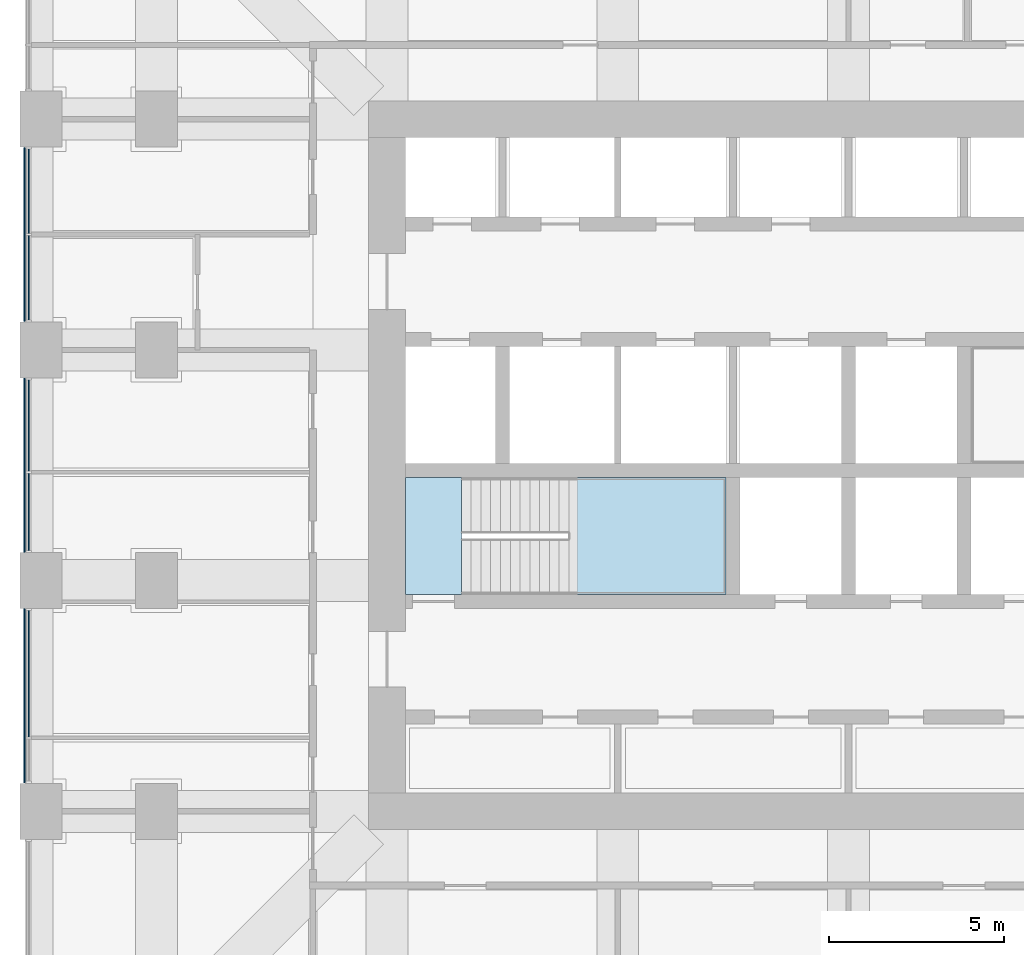
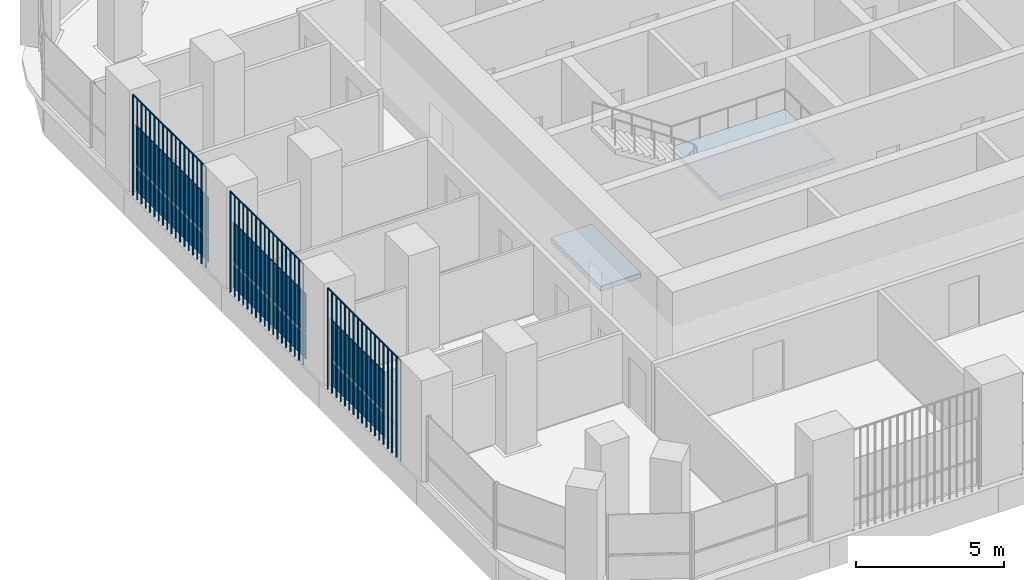
# One storey, part 9 of 20: 13 plates, 2 slabs, 4 elements without a shape of their own.
"""IFC4 building model written with IfcOpenShell, lengths in metres."""

from ifc_helpers import new_model, si_unit, direction, frame, origin, origin_2d, place, context, subcontext, project, spatial, polyline, rectangle, outline, extrude, material, layer, layer_set, type_object, element, aggregate, save


model = new_model("IFC4")

# Units and contexts
model_context = context("Model", 3, precision=1e-05, world=origin(), true_north=direction((0.0, 1.0)))
body_context = subcontext(model_context, "Body", "Model", "MODEL_VIEW")
ifc_project = project(units=[si_unit("LENGTHUNIT", "METRE"), si_unit("AREAUNIT", "SQUARE_METRE"), si_unit("VOLUMEUNIT", "CUBIC_METRE"), si_unit("PLANEANGLEUNIT", "RADIAN"), si_unit("MASSUNIT", "GRAM", prefix="KILO")], contexts=[model_context])

# Site, building, storey
site_placement = place(None, origin())
site = spatial("IfcSite", under=ifc_project, at=site_placement, CompositionType="ELEMENT")
building_placement = place(site_placement, origin())
building = spatial("IfcBuilding", under=site, at=building_placement, Name="Cobogo Forest Laboratory Tower", CompositionType="ELEMENT")
storey_placement = place(building_placement, frame((0.0, 0.0, 189.300048828125)))
storey = spatial("IfcBuildingStorey", under=building, at=storey_placement, Name="L43", CompositionType="ELEMENT", Elevation=189.300048828125)

# Curtain wall, plates
ifc_material_1 = material(Name="Aluminium curtain wall", Category="aluminium")
curtain_wall_type = type_object("IfcCurtainWallType", Name="CW-2 unitised curtain wall, solar control glazing, laboratory floors zones C and D", PredefinedType="USERDEFINED", material=ifc_material_1)
curtain_wall_1_placement = place(storey_placement, origin())
curtain_wall_1 = element("IfcCurtainWall", 1, at=curtain_wall_1_placement, inside=storey, type_object=curtain_wall_type, Name="Curtain wall 25 L43", ObjectType="UNITISED CURTAIN WALL", PredefinedType="USERDEFINED")
ifc_material_2 = material(Name="Solar control insulated glass", Category="glass")
ifc_layer_1 = layer(ifc_material_2, 0.031982421875)
ifc_layer_set_1 = layer_set([ifc_layer_1], Name="GP-2 solar control glass unit 32")
plate_type_1 = type_object("IfcPlateType", Name="GP-2 solar control glass unit 32", PredefinedType="CURTAIN_PANEL", material=ifc_layer_set_1)
plate_1_placement = place(storey_placement, frame((2.949951171875, 30.93505859375, 0.0), z_axis=(0.0, 0.0, 1.0), x_axis=(0.0, -1.0, 0.0)))
plate_1 = element("IfcPlate", 2, at=plate_1_placement, type_object=plate_type_1, Name="CW-2 panel 1.1", PredefinedType="CURTAIN_PANEL", context=body_context, shape_type="SweptSolid", body=[
    extrude(rectangle(XDim=2.409912109375, YDim=0.031982421875, at=origin_2d()), origin(), (0.0, 0.0, 1.0), 1.02001953125),
])
plate_2_placement = place(storey_placement, frame((2.949951171875, 30.93505859375, 1.079833984375), z_axis=(0.0, 0.0, 1.0), x_axis=(0.0, -1.0, 0.0)))
plate_2 = element("IfcPlate", 3, at=plate_2_placement, type_object=plate_type_1, Name="CW-2 panel 1.2", PredefinedType="CURTAIN_PANEL", context=body_context, shape_type="SweptSolid", body=[
    extrude(rectangle(XDim=2.409912109375, YDim=0.031982421875, at=origin_2d()), origin(), (0.0, 0.0, 1.0), 1.6201171875),
])
plate_3_placement = place(storey_placement, frame((2.949951171875, 28.465087890625, 0.0), z_axis=(0.0, 0.0, 1.0), x_axis=(0.0, -1.0, 0.0)))
plate_3 = element("IfcPlate", 4, at=plate_3_placement, type_object=plate_type_1, Name="CW-2 panel 2.1", PredefinedType="CURTAIN_PANEL", context=body_context, shape_type="SweptSolid", body=[
    extrude(rectangle(XDim=2.409912109375, YDim=0.031982421875, at=origin_2d()), origin(), (0.0, 0.0, 1.0), 1.02001953125),
])
plate_4_placement = place(storey_placement, frame((2.949951171875, 28.465087890625, 1.079833984375), z_axis=(0.0, 0.0, 1.0), x_axis=(0.0, -1.0, 0.0)))
plate_4 = element("IfcPlate", 5, at=plate_4_placement, type_object=plate_type_1, Name="CW-2 panel 2.2", PredefinedType="CURTAIN_PANEL", context=body_context, shape_type="SweptSolid", body=[
    extrude(rectangle(XDim=2.409912109375, YDim=0.031982421875, at=origin_2d()), origin(), (0.0, 0.0, 1.0), 1.6201171875),
])
aggregate(curtain_wall_1, [plate_1, plate_2, plate_3, plate_4])

curtain_wall_2_placement = place(storey_placement, origin())
curtain_wall_2 = element("IfcCurtainWall", 6, at=curtain_wall_2_placement, inside=storey, type_object=curtain_wall_type, Name="Curtain wall 26 L43", ObjectType="UNITISED CURTAIN WALL", PredefinedType="USERDEFINED")
plate_5_placement = place(storey_placement, frame((2.949951171875, 24.235107421875, 0.0), z_axis=(0.0, 0.0, 1.0), x_axis=(0.0, -1.0, 0.0)))
plate_5 = element("IfcPlate", 7, at=plate_5_placement, type_object=plate_type_1, Name="CW-2 panel 1.1", PredefinedType="CURTAIN_PANEL", context=body_context, shape_type="SweptSolid", body=[
    extrude(rectangle(XDim=2.610107421875, YDim=0.031982421875, at=origin_2d()), origin(), (0.0, 0.0, 1.0), 1.02001953125),
])
plate_6_placement = place(storey_placement, frame((2.949951171875, 24.235107421875, 1.079833984375), z_axis=(0.0, 0.0, 1.0), x_axis=(0.0, -1.0, 0.0)))
plate_6 = element("IfcPlate", 8, at=plate_6_placement, type_object=plate_type_1, Name="CW-2 panel 1.2", PredefinedType="CURTAIN_PANEL", context=body_context, shape_type="SweptSolid", body=[
    extrude(rectangle(XDim=2.610107421875, YDim=0.031982421875, at=origin_2d()), origin(), (0.0, 0.0, 1.0), 1.6201171875),
])
plate_7_placement = place(storey_placement, frame((2.949951171875, 21.764892578125, 0.0), z_axis=(0.0, 0.0, 1.0), x_axis=(0.0, -1.0, 0.0)))
plate_7 = element("IfcPlate", 9, at=plate_7_placement, type_object=plate_type_1, Name="CW-2 panel 2.1", PredefinedType="CURTAIN_PANEL", context=body_context, shape_type="SweptSolid", body=[
    extrude(rectangle(XDim=2.2099609375, YDim=0.031982421875, at=origin_2d()), origin(), (0.0, 0.0, 1.0), 1.02001953125),
])
plate_8_placement = place(storey_placement, frame((2.949951171875, 21.764892578125, 1.079833984375), z_axis=(0.0, 0.0, 1.0), x_axis=(0.0, -1.0, 0.0)))
plate_8 = element("IfcPlate", 10, at=plate_8_placement, type_object=plate_type_1, Name="CW-2 panel 2.2", PredefinedType="CURTAIN_PANEL", context=body_context, shape_type="SweptSolid", body=[
    extrude(rectangle(XDim=2.2099609375, YDim=0.031982421875, at=origin_2d()), origin(), (0.0, 0.0, 1.0), 1.6201171875),
])
aggregate(curtain_wall_2, [plate_5, plate_6, plate_7, plate_8])

curtain_wall_3_placement = place(storey_placement, origin())
curtain_wall_3 = element("IfcCurtainWall", 11, at=curtain_wall_3_placement, inside=storey, type_object=curtain_wall_type, Name="Curtain wall 27 L43", ObjectType="UNITISED CURTAIN WALL", PredefinedType="USERDEFINED")
plate_9_placement = place(storey_placement, frame((2.949951171875, 17.135009765625, 0.0), z_axis=(0.0, 0.0, 1.0), x_axis=(0.0, -1.0, 0.0)))
plate_9 = element("IfcPlate", 12, at=plate_9_placement, type_object=plate_type_1, Name="CW-2 panel 1.1", PredefinedType="CURTAIN_PANEL", context=body_context, shape_type="SweptSolid", body=[
    extrude(rectangle(XDim=3.610107421875, YDim=0.031982421875, at=origin_2d()), origin(), (0.0, 0.0, 1.0), 1.02001953125),
])
plate_10_placement = place(storey_placement, frame((2.949951171875, 17.135009765625, 1.079833984375), z_axis=(0.0, 0.0, 1.0), x_axis=(0.0, -1.0, 0.0)))
plate_10 = element("IfcPlate", 13, at=plate_10_placement, type_object=plate_type_1, Name="CW-2 panel 1.2", PredefinedType="CURTAIN_PANEL", context=body_context, shape_type="SweptSolid", body=[
    extrude(rectangle(XDim=3.610107421875, YDim=0.031982421875, at=origin_2d()), origin(), (0.0, 0.0, 1.0), 1.6201171875),
])
aggregate(curtain_wall_3, [plate_9, plate_10])

# Stair, slabs
ifc_material_3 = material(Name="Precast concrete HA-40 (C40/50)", Category="concrete")
stair_type = type_object("IfcStairType", Name="ST24 exit stair 24 risers", PredefinedType="HALF_TURN_STAIR", material=ifc_material_3)
stair_placement = place(storey_placement, origin())
stair = element("IfcStair", 14, at=stair_placement, inside=storey, type_object=stair_type, Name="Stair 1 L43 to L44", PredefinedType="HALF_TURN_STAIR")
ifc_material_4 = material(Name="Concrete HA-40 (C40/50)", Category="concrete")
ifc_layer_2 = layer(ifc_material_4, 0.199951171875)
ifc_layer_set_2 = layer_set([ifc_layer_2], Name="SL stair landing 200")
slab_type = type_object("IfcSlabType", Name="SL stair landing 200", PredefinedType="LANDING", material=ifc_layer_set_2)
slab_1_placement = place(storey_placement, frame((0.0, 0.0, -0.199951171875)))
slab_1 = element("IfcSlab", 15, at=slab_1_placement, type_object=slab_type, Name="ST1 landing 1", PredefinedType="LANDING", context=body_context, shape_type="SweptSolid", body=[
    extrude(outline(polyline([(13.72509765625, 19.39990234375), (15.326904296875, 19.39990234375), (15.326904296875, 22.75), (13.72509765625, 22.75), (13.72509765625, 19.39990234375)])), origin(), (0.0, 0.0, 1.0), 0.199951171875),
])
slab_2_placement = place(storey_placement, frame((0.0, 0.0, 1.89990234375)))
slab_2 = element("IfcSlab", 16, at=slab_2_placement, type_object=slab_type, Name="ST1 landing 2", PredefinedType="LANDING", context=body_context, shape_type="SweptSolid", body=[
    extrude(outline(polyline([(18.403076171875, 19.39990234375), (22.89990234375, 19.39990234375), (22.89990234375, 22.75), (18.403076171875, 22.75), (18.403076171875, 19.39990234375)])), origin(), (0.0, 0.0, 1.0), 0.199951171875),
])
aggregate(stair, [slab_1, slab_2])

# Plates
ifc_material_5 = material(Name="Terracotta", Category="masonry")
plate_type_2 = type_object("IfcPlateType", Name="TB1 terracotta baguette screen", PredefinedType="USERDEFINED", material=ifc_material_5)
plate_11_placement = place(storey_placement, frame((2.822021484375, 14.03125, -0.150146484375)))
element("IfcPlate", 17, at=plate_11_placement, inside=storey, type_object=plate_type_2, Name="Baguette screen W1 L43", ObjectType="BAGUETTE SCREEN", PredefinedType="USERDEFINED", context=body_context, shape_type="SweptSolid", body=[
    extrude(outline(polyline([(0.02880859375, 0.011962890625), (0.011962890625, 0.02880859375), (-0.011962890625, 0.02880859375), (-0.02880859375, 0.011962890625), (-0.02880859375, -0.011962890625), (-0.011962890625, -0.02880859375), (0.011962890625, -0.02880859375), (0.02880859375, -0.011962890625), (0.02880859375, 0.011962890625)])), frame((0.0, 0.0, 4.168701171875), z_axis=(0.0, 1.0, 0.0), x_axis=(-1.0, 0.0, 0.0)), (0.0, 0.0, 1.0), 4.9375),
    extrude(outline(polyline([(0.02880859375, 0.011962890625), (0.011962890625, 0.02880859375), (-0.011962890625, 0.02880859375), (-0.02880859375, 0.011962890625), (-0.02880859375, -0.011962890625), (-0.011962890625, -0.02880859375), (0.011962890625, -0.02880859375), (0.02880859375, -0.011962890625), (0.02880859375, 0.011962890625)])), origin(), (0.0, 0.0, 1.0), 4.137451171875),
    extrude(outline(polyline([(0.02880859375, 0.011962890625), (0.011962890625, 0.02880859375), (-0.011962890625, 0.02880859375), (-0.02880859375, 0.011962890625), (-0.02880859375, -0.011962890625), (-0.011962890625, -0.02880859375), (0.011962890625, -0.02880859375), (0.02880859375, -0.011962890625), (0.02880859375, 0.011962890625)])), frame((0.0, 0.29052734375, 0.0)), (0.0, 0.0, 1.0), 4.137451171875),
    extrude(outline(polyline([(0.02880859375, 0.011962890625), (0.011962890625, 0.02880859375), (-0.011962890625, 0.02880859375), (-0.02880859375, 0.011962890625), (-0.02880859375, -0.011962890625), (-0.011962890625, -0.02880859375), (0.011962890625, -0.02880859375), (0.02880859375, -0.011962890625), (0.02880859375, 0.011962890625)])), frame((0.0, 0.580810546875, 0.0)), (0.0, 0.0, 1.0), 4.137451171875),
    extrude(outline(polyline([(0.02880859375, 0.011962890625), (0.011962890625, 0.02880859375), (-0.011962890625, 0.02880859375), (-0.02880859375, 0.011962890625), (-0.02880859375, -0.011962890625), (-0.011962890625, -0.02880859375), (0.011962890625, -0.02880859375), (0.02880859375, -0.011962890625), (0.02880859375, 0.011962890625)])), frame((0.0, 0.871337890625, 0.0)), (0.0, 0.0, 1.0), 4.137451171875),
    extrude(outline(polyline([(0.02880859375, 0.011962890625), (0.011962890625, 0.02880859375), (-0.011962890625, 0.02880859375), (-0.02880859375, 0.011962890625), (-0.02880859375, -0.011962890625), (-0.011962890625, -0.02880859375), (0.011962890625, -0.02880859375), (0.02880859375, -0.011962890625), (0.02880859375, 0.011962890625)])), frame((0.0, 1.161865234375, 0.0)), (0.0, 0.0, 1.0), 4.137451171875),
    extrude(outline(polyline([(0.02880859375, 0.011962890625), (0.011962890625, 0.02880859375), (-0.011962890625, 0.02880859375), (-0.02880859375, 0.011962890625), (-0.02880859375, -0.011962890625), (-0.011962890625, -0.02880859375), (0.011962890625, -0.02880859375), (0.02880859375, -0.011962890625), (0.02880859375, 0.011962890625)])), frame((0.0, 1.4521484375, 0.0)), (0.0, 0.0, 1.0), 4.137451171875),
    extrude(outline(polyline([(0.02880859375, 0.011962890625), (0.011962890625, 0.02880859375), (-0.011962890625, 0.02880859375), (-0.02880859375, 0.011962890625), (-0.02880859375, -0.011962890625), (-0.011962890625, -0.02880859375), (0.011962890625, -0.02880859375), (0.02880859375, -0.011962890625), (0.02880859375, 0.011962890625)])), frame((0.0, 1.74267578125, 0.0)), (0.0, 0.0, 1.0), 4.137451171875),
    extrude(outline(polyline([(0.02880859375, 0.011962890625), (0.011962890625, 0.02880859375), (-0.011962890625, 0.02880859375), (-0.02880859375, 0.011962890625), (-0.02880859375, -0.011962890625), (-0.011962890625, -0.02880859375), (0.011962890625, -0.02880859375), (0.02880859375, -0.011962890625), (0.02880859375, 0.011962890625)])), frame((0.0, 2.033203125, 0.0)), (0.0, 0.0, 1.0), 4.137451171875),
    extrude(outline(polyline([(0.02880859375, 0.011962890625), (0.011962890625, 0.02880859375), (-0.011962890625, 0.02880859375), (-0.02880859375, 0.011962890625), (-0.02880859375, -0.011962890625), (-0.011962890625, -0.02880859375), (0.011962890625, -0.02880859375), (0.02880859375, -0.011962890625), (0.02880859375, 0.011962890625)])), frame((0.0, 2.323486328125, 0.0)), (0.0, 0.0, 1.0), 4.137451171875),
    extrude(outline(polyline([(0.02880859375, 0.011962890625), (0.011962890625, 0.02880859375), (-0.011962890625, 0.02880859375), (-0.02880859375, 0.011962890625), (-0.02880859375, -0.011962890625), (-0.011962890625, -0.02880859375), (0.011962890625, -0.02880859375), (0.02880859375, -0.011962890625), (0.02880859375, 0.011962890625)])), frame((0.0, 2.614013671875, 0.0)), (0.0, 0.0, 1.0), 4.137451171875),
    extrude(outline(polyline([(0.02880859375, 0.011962890625), (0.011962890625, 0.02880859375), (-0.011962890625, 0.02880859375), (-0.02880859375, 0.011962890625), (-0.02880859375, -0.011962890625), (-0.011962890625, -0.02880859375), (0.011962890625, -0.02880859375), (0.02880859375, -0.011962890625), (0.02880859375, 0.011962890625)])), frame((0.0, 2.904296875, 0.0)), (0.0, 0.0, 1.0), 4.137451171875),
    extrude(outline(polyline([(0.02880859375, 0.011962890625), (0.011962890625, 0.02880859375), (-0.011962890625, 0.02880859375), (-0.02880859375, 0.011962890625), (-0.02880859375, -0.011962890625), (-0.011962890625, -0.02880859375), (0.011962890625, -0.02880859375), (0.02880859375, -0.011962890625), (0.02880859375, 0.011962890625)])), frame((0.0, 3.19482421875, 0.0)), (0.0, 0.0, 1.0), 4.137451171875),
    extrude(outline(polyline([(0.02880859375, 0.011962890625), (0.011962890625, 0.02880859375), (-0.011962890625, 0.02880859375), (-0.02880859375, 0.011962890625), (-0.02880859375, -0.011962890625), (-0.011962890625, -0.02880859375), (0.011962890625, -0.02880859375), (0.02880859375, -0.011962890625), (0.02880859375, 0.011962890625)])), frame((0.0, 3.4853515625, 0.0)), (0.0, 0.0, 1.0), 4.137451171875),
    extrude(outline(polyline([(0.02880859375, 0.011962890625), (0.011962890625, 0.02880859375), (-0.011962890625, 0.02880859375), (-0.02880859375, 0.011962890625), (-0.02880859375, -0.011962890625), (-0.011962890625, -0.02880859375), (0.011962890625, -0.02880859375), (0.02880859375, -0.011962890625), (0.02880859375, 0.011962890625)])), frame((0.0, 3.775634765625, 0.0)), (0.0, 0.0, 1.0), 4.137451171875),
    extrude(outline(polyline([(0.02880859375, 0.011962890625), (0.011962890625, 0.02880859375), (-0.011962890625, 0.02880859375), (-0.02880859375, 0.011962890625), (-0.02880859375, -0.011962890625), (-0.011962890625, -0.02880859375), (0.011962890625, -0.02880859375), (0.02880859375, -0.011962890625), (0.02880859375, 0.011962890625)])), frame((0.0, 4.066162109375, 0.0)), (0.0, 0.0, 1.0), 4.137451171875),
    extrude(outline(polyline([(0.02880859375, 0.011962890625), (0.011962890625, 0.02880859375), (-0.011962890625, 0.02880859375), (-0.02880859375, 0.011962890625), (-0.02880859375, -0.011962890625), (-0.011962890625, -0.02880859375), (0.011962890625, -0.02880859375), (0.02880859375, -0.011962890625), (0.02880859375, 0.011962890625)])), frame((0.0, 4.356689453125, 0.0)), (0.0, 0.0, 1.0), 4.137451171875),
    extrude(outline(polyline([(0.02880859375, 0.011962890625), (0.011962890625, 0.02880859375), (-0.011962890625, 0.02880859375), (-0.02880859375, 0.011962890625), (-0.02880859375, -0.011962890625), (-0.011962890625, -0.02880859375), (0.011962890625, -0.02880859375), (0.02880859375, -0.011962890625), (0.02880859375, 0.011962890625)])), frame((0.0, 4.64697265625, 0.0)), (0.0, 0.0, 1.0), 4.137451171875),
    extrude(outline(polyline([(0.02880859375, 0.011962890625), (0.011962890625, 0.02880859375), (-0.011962890625, 0.02880859375), (-0.02880859375, 0.011962890625), (-0.02880859375, -0.011962890625), (-0.011962890625, -0.02880859375), (0.011962890625, -0.02880859375), (0.02880859375, -0.011962890625), (0.02880859375, 0.011962890625)])), frame((0.0, 4.9375, 0.0)), (0.0, 0.0, 1.0), 4.137451171875),
])
plate_12_placement = place(storey_placement, frame((2.822021484375, 20.63134765625, -0.150146484375)))
element("IfcPlate", 18, at=plate_12_placement, inside=storey, type_object=plate_type_2, Name="Baguette screen W2 L43", ObjectType="BAGUETTE SCREEN", PredefinedType="USERDEFINED", context=body_context, shape_type="SweptSolid", body=[
    extrude(outline(polyline([(0.02880859375, 0.011962890625), (0.011962890625, 0.02880859375), (-0.011962890625, 0.02880859375), (-0.02880859375, 0.011962890625), (-0.02880859375, -0.011962890625), (-0.011962890625, -0.02880859375), (0.011962890625, -0.02880859375), (0.02880859375, -0.011962890625), (0.02880859375, 0.011962890625)])), frame((0.0, 0.0, 4.168701171875), z_axis=(0.0, 1.0, 0.0), x_axis=(-1.0, 0.0, 0.0)), (0.0, 0.0, 1.0), 4.9375),
    extrude(outline(polyline([(0.02880859375, 0.011962890625), (0.011962890625, 0.02880859375), (-0.011962890625, 0.02880859375), (-0.02880859375, 0.011962890625), (-0.02880859375, -0.011962890625), (-0.011962890625, -0.02880859375), (0.011962890625, -0.02880859375), (0.02880859375, -0.011962890625), (0.02880859375, 0.011962890625)])), origin(), (0.0, 0.0, 1.0), 4.137451171875),
    extrude(outline(polyline([(0.02880859375, 0.011962890625), (0.011962890625, 0.02880859375), (-0.011962890625, 0.02880859375), (-0.02880859375, 0.011962890625), (-0.02880859375, -0.011962890625), (-0.011962890625, -0.02880859375), (0.011962890625, -0.02880859375), (0.02880859375, -0.011962890625), (0.02880859375, 0.011962890625)])), frame((0.0, 0.29052734375, 0.0)), (0.0, 0.0, 1.0), 4.137451171875),
    extrude(outline(polyline([(0.02880859375, 0.011962890625), (0.011962890625, 0.02880859375), (-0.011962890625, 0.02880859375), (-0.02880859375, 0.011962890625), (-0.02880859375, -0.011962890625), (-0.011962890625, -0.02880859375), (0.011962890625, -0.02880859375), (0.02880859375, -0.011962890625), (0.02880859375, 0.011962890625)])), frame((0.0, 0.580810546875, 0.0)), (0.0, 0.0, 1.0), 4.137451171875),
    extrude(outline(polyline([(0.02880859375, 0.011962890625), (0.011962890625, 0.02880859375), (-0.011962890625, 0.02880859375), (-0.02880859375, 0.011962890625), (-0.02880859375, -0.011962890625), (-0.011962890625, -0.02880859375), (0.011962890625, -0.02880859375), (0.02880859375, -0.011962890625), (0.02880859375, 0.011962890625)])), frame((0.0, 0.871337890625, 0.0)), (0.0, 0.0, 1.0), 4.137451171875),
    extrude(outline(polyline([(0.02880859375, 0.011962890625), (0.011962890625, 0.02880859375), (-0.011962890625, 0.02880859375), (-0.02880859375, 0.011962890625), (-0.02880859375, -0.011962890625), (-0.011962890625, -0.02880859375), (0.011962890625, -0.02880859375), (0.02880859375, -0.011962890625), (0.02880859375, 0.011962890625)])), frame((0.0, 1.161865234375, 0.0)), (0.0, 0.0, 1.0), 4.137451171875),
    extrude(outline(polyline([(0.02880859375, 0.011962890625), (0.011962890625, 0.02880859375), (-0.011962890625, 0.02880859375), (-0.02880859375, 0.011962890625), (-0.02880859375, -0.011962890625), (-0.011962890625, -0.02880859375), (0.011962890625, -0.02880859375), (0.02880859375, -0.011962890625), (0.02880859375, 0.011962890625)])), frame((0.0, 1.4521484375, 0.0)), (0.0, 0.0, 1.0), 4.137451171875),
    extrude(outline(polyline([(0.02880859375, 0.011962890625), (0.011962890625, 0.02880859375), (-0.011962890625, 0.02880859375), (-0.02880859375, 0.011962890625), (-0.02880859375, -0.011962890625), (-0.011962890625, -0.02880859375), (0.011962890625, -0.02880859375), (0.02880859375, -0.011962890625), (0.02880859375, 0.011962890625)])), frame((0.0, 1.74267578125, 0.0)), (0.0, 0.0, 1.0), 4.137451171875),
    extrude(outline(polyline([(0.02880859375, 0.011962890625), (0.011962890625, 0.02880859375), (-0.011962890625, 0.02880859375), (-0.02880859375, 0.011962890625), (-0.02880859375, -0.011962890625), (-0.011962890625, -0.02880859375), (0.011962890625, -0.02880859375), (0.02880859375, -0.011962890625), (0.02880859375, 0.011962890625)])), frame((0.0, 2.033203125, 0.0)), (0.0, 0.0, 1.0), 4.137451171875),
    extrude(outline(polyline([(0.02880859375, 0.011962890625), (0.011962890625, 0.02880859375), (-0.011962890625, 0.02880859375), (-0.02880859375, 0.011962890625), (-0.02880859375, -0.011962890625), (-0.011962890625, -0.02880859375), (0.011962890625, -0.02880859375), (0.02880859375, -0.011962890625), (0.02880859375, 0.011962890625)])), frame((0.0, 2.323486328125, 0.0)), (0.0, 0.0, 1.0), 4.137451171875),
    extrude(outline(polyline([(0.02880859375, 0.011962890625), (0.011962890625, 0.02880859375), (-0.011962890625, 0.02880859375), (-0.02880859375, 0.011962890625), (-0.02880859375, -0.011962890625), (-0.011962890625, -0.02880859375), (0.011962890625, -0.02880859375), (0.02880859375, -0.011962890625), (0.02880859375, 0.011962890625)])), frame((0.0, 2.614013671875, 0.0)), (0.0, 0.0, 1.0), 4.137451171875),
    extrude(outline(polyline([(0.02880859375, 0.011962890625), (0.011962890625, 0.02880859375), (-0.011962890625, 0.02880859375), (-0.02880859375, 0.011962890625), (-0.02880859375, -0.011962890625), (-0.011962890625, -0.02880859375), (0.011962890625, -0.02880859375), (0.02880859375, -0.011962890625), (0.02880859375, 0.011962890625)])), frame((0.0, 2.904296875, 0.0)), (0.0, 0.0, 1.0), 4.137451171875),
    extrude(outline(polyline([(0.02880859375, 0.011962890625), (0.011962890625, 0.02880859375), (-0.011962890625, 0.02880859375), (-0.02880859375, 0.011962890625), (-0.02880859375, -0.011962890625), (-0.011962890625, -0.02880859375), (0.011962890625, -0.02880859375), (0.02880859375, -0.011962890625), (0.02880859375, 0.011962890625)])), frame((0.0, 3.19482421875, 0.0)), (0.0, 0.0, 1.0), 4.137451171875),
    extrude(outline(polyline([(0.02880859375, 0.011962890625), (0.011962890625, 0.02880859375), (-0.011962890625, 0.02880859375), (-0.02880859375, 0.011962890625), (-0.02880859375, -0.011962890625), (-0.011962890625, -0.02880859375), (0.011962890625, -0.02880859375), (0.02880859375, -0.011962890625), (0.02880859375, 0.011962890625)])), frame((0.0, 3.4853515625, 0.0)), (0.0, 0.0, 1.0), 4.137451171875),
    extrude(outline(polyline([(0.02880859375, 0.011962890625), (0.011962890625, 0.02880859375), (-0.011962890625, 0.02880859375), (-0.02880859375, 0.011962890625), (-0.02880859375, -0.011962890625), (-0.011962890625, -0.02880859375), (0.011962890625, -0.02880859375), (0.02880859375, -0.011962890625), (0.02880859375, 0.011962890625)])), frame((0.0, 3.775634765625, 0.0)), (0.0, 0.0, 1.0), 4.137451171875),
    extrude(outline(polyline([(0.02880859375, 0.011962890625), (0.011962890625, 0.02880859375), (-0.011962890625, 0.02880859375), (-0.02880859375, 0.011962890625), (-0.02880859375, -0.011962890625), (-0.011962890625, -0.02880859375), (0.011962890625, -0.02880859375), (0.02880859375, -0.011962890625), (0.02880859375, 0.011962890625)])), frame((0.0, 4.066162109375, 0.0)), (0.0, 0.0, 1.0), 4.137451171875),
    extrude(outline(polyline([(0.02880859375, 0.011962890625), (0.011962890625, 0.02880859375), (-0.011962890625, 0.02880859375), (-0.02880859375, 0.011962890625), (-0.02880859375, -0.011962890625), (-0.011962890625, -0.02880859375), (0.011962890625, -0.02880859375), (0.02880859375, -0.011962890625), (0.02880859375, 0.011962890625)])), frame((0.0, 4.356689453125, 0.0)), (0.0, 0.0, 1.0), 4.137451171875),
    extrude(outline(polyline([(0.02880859375, 0.011962890625), (0.011962890625, 0.02880859375), (-0.011962890625, 0.02880859375), (-0.02880859375, 0.011962890625), (-0.02880859375, -0.011962890625), (-0.011962890625, -0.02880859375), (0.011962890625, -0.02880859375), (0.02880859375, -0.011962890625), (0.02880859375, 0.011962890625)])), frame((0.0, 4.64697265625, 0.0)), (0.0, 0.0, 1.0), 4.137451171875),
    extrude(outline(polyline([(0.02880859375, 0.011962890625), (0.011962890625, 0.02880859375), (-0.011962890625, 0.02880859375), (-0.02880859375, 0.011962890625), (-0.02880859375, -0.011962890625), (-0.011962890625, -0.02880859375), (0.011962890625, -0.02880859375), (0.02880859375, -0.011962890625), (0.02880859375, 0.011962890625)])), frame((0.0, 4.9375, 0.0)), (0.0, 0.0, 1.0), 4.137451171875),
])
plate_13_placement = place(storey_placement, frame((2.822021484375, 27.231201171875, -0.150146484375)))
element("IfcPlate", 19, at=plate_13_placement, inside=storey, type_object=plate_type_2, Name="Baguette screen W3 L43", ObjectType="BAGUETTE SCREEN", PredefinedType="USERDEFINED", context=body_context, shape_type="SweptSolid", body=[
    extrude(outline(polyline([(0.02880859375, 0.011962890625), (0.011962890625, 0.02880859375), (-0.011962890625, 0.02880859375), (-0.02880859375, 0.011962890625), (-0.02880859375, -0.011962890625), (-0.011962890625, -0.02880859375), (0.011962890625, -0.02880859375), (0.02880859375, -0.011962890625), (0.02880859375, 0.011962890625)])), frame((0.0, 0.0, 4.168701171875), z_axis=(0.0, 1.0, 0.0), x_axis=(-1.0, 0.0, 0.0)), (0.0, 0.0, 1.0), 4.9375),
    extrude(outline(polyline([(0.02880859375, 0.011962890625), (0.011962890625, 0.02880859375), (-0.011962890625, 0.02880859375), (-0.02880859375, 0.011962890625), (-0.02880859375, -0.011962890625), (-0.011962890625, -0.02880859375), (0.011962890625, -0.02880859375), (0.02880859375, -0.011962890625), (0.02880859375, 0.011962890625)])), origin(), (0.0, 0.0, 1.0), 4.137451171875),
    extrude(outline(polyline([(0.02880859375, 0.011962890625), (0.011962890625, 0.02880859375), (-0.011962890625, 0.02880859375), (-0.02880859375, 0.011962890625), (-0.02880859375, -0.011962890625), (-0.011962890625, -0.02880859375), (0.011962890625, -0.02880859375), (0.02880859375, -0.011962890625), (0.02880859375, 0.011962890625)])), frame((0.0, 0.29052734375, 0.0)), (0.0, 0.0, 1.0), 4.137451171875),
    extrude(outline(polyline([(0.02880859375, 0.011962890625), (0.011962890625, 0.02880859375), (-0.011962890625, 0.02880859375), (-0.02880859375, 0.011962890625), (-0.02880859375, -0.011962890625), (-0.011962890625, -0.02880859375), (0.011962890625, -0.02880859375), (0.02880859375, -0.011962890625), (0.02880859375, 0.011962890625)])), frame((0.0, 0.580810546875, 0.0)), (0.0, 0.0, 1.0), 4.137451171875),
    extrude(outline(polyline([(0.02880859375, 0.011962890625), (0.011962890625, 0.02880859375), (-0.011962890625, 0.02880859375), (-0.02880859375, 0.011962890625), (-0.02880859375, -0.011962890625), (-0.011962890625, -0.02880859375), (0.011962890625, -0.02880859375), (0.02880859375, -0.011962890625), (0.02880859375, 0.011962890625)])), frame((0.0, 0.871337890625, 0.0)), (0.0, 0.0, 1.0), 4.137451171875),
    extrude(outline(polyline([(0.02880859375, 0.011962890625), (0.011962890625, 0.02880859375), (-0.011962890625, 0.02880859375), (-0.02880859375, 0.011962890625), (-0.02880859375, -0.011962890625), (-0.011962890625, -0.02880859375), (0.011962890625, -0.02880859375), (0.02880859375, -0.011962890625), (0.02880859375, 0.011962890625)])), frame((0.0, 1.161865234375, 0.0)), (0.0, 0.0, 1.0), 4.137451171875),
    extrude(outline(polyline([(0.02880859375, 0.011962890625), (0.011962890625, 0.02880859375), (-0.011962890625, 0.02880859375), (-0.02880859375, 0.011962890625), (-0.02880859375, -0.011962890625), (-0.011962890625, -0.02880859375), (0.011962890625, -0.02880859375), (0.02880859375, -0.011962890625), (0.02880859375, 0.011962890625)])), frame((0.0, 1.4521484375, 0.0)), (0.0, 0.0, 1.0), 4.137451171875),
    extrude(outline(polyline([(0.02880859375, 0.011962890625), (0.011962890625, 0.02880859375), (-0.011962890625, 0.02880859375), (-0.02880859375, 0.011962890625), (-0.02880859375, -0.011962890625), (-0.011962890625, -0.02880859375), (0.011962890625, -0.02880859375), (0.02880859375, -0.011962890625), (0.02880859375, 0.011962890625)])), frame((0.0, 1.74267578125, 0.0)), (0.0, 0.0, 1.0), 4.137451171875),
    extrude(outline(polyline([(0.02880859375, 0.011962890625), (0.011962890625, 0.02880859375), (-0.011962890625, 0.02880859375), (-0.02880859375, 0.011962890625), (-0.02880859375, -0.011962890625), (-0.011962890625, -0.02880859375), (0.011962890625, -0.02880859375), (0.02880859375, -0.011962890625), (0.02880859375, 0.011962890625)])), frame((0.0, 2.033203125, 0.0)), (0.0, 0.0, 1.0), 4.137451171875),
    extrude(outline(polyline([(0.02880859375, 0.011962890625), (0.011962890625, 0.02880859375), (-0.011962890625, 0.02880859375), (-0.02880859375, 0.011962890625), (-0.02880859375, -0.011962890625), (-0.011962890625, -0.02880859375), (0.011962890625, -0.02880859375), (0.02880859375, -0.011962890625), (0.02880859375, 0.011962890625)])), frame((0.0, 2.323486328125, 0.0)), (0.0, 0.0, 1.0), 4.137451171875),
    extrude(outline(polyline([(0.02880859375, 0.011962890625), (0.011962890625, 0.02880859375), (-0.011962890625, 0.02880859375), (-0.02880859375, 0.011962890625), (-0.02880859375, -0.011962890625), (-0.011962890625, -0.02880859375), (0.011962890625, -0.02880859375), (0.02880859375, -0.011962890625), (0.02880859375, 0.011962890625)])), frame((0.0, 2.614013671875, 0.0)), (0.0, 0.0, 1.0), 4.137451171875),
    extrude(outline(polyline([(0.02880859375, 0.011962890625), (0.011962890625, 0.02880859375), (-0.011962890625, 0.02880859375), (-0.02880859375, 0.011962890625), (-0.02880859375, -0.011962890625), (-0.011962890625, -0.02880859375), (0.011962890625, -0.02880859375), (0.02880859375, -0.011962890625), (0.02880859375, 0.011962890625)])), frame((0.0, 2.904296875, 0.0)), (0.0, 0.0, 1.0), 4.137451171875),
    extrude(outline(polyline([(0.02880859375, 0.011962890625), (0.011962890625, 0.02880859375), (-0.011962890625, 0.02880859375), (-0.02880859375, 0.011962890625), (-0.02880859375, -0.011962890625), (-0.011962890625, -0.02880859375), (0.011962890625, -0.02880859375), (0.02880859375, -0.011962890625), (0.02880859375, 0.011962890625)])), frame((0.0, 3.19482421875, 0.0)), (0.0, 0.0, 1.0), 4.137451171875),
    extrude(outline(polyline([(0.02880859375, 0.011962890625), (0.011962890625, 0.02880859375), (-0.011962890625, 0.02880859375), (-0.02880859375, 0.011962890625), (-0.02880859375, -0.011962890625), (-0.011962890625, -0.02880859375), (0.011962890625, -0.02880859375), (0.02880859375, -0.011962890625), (0.02880859375, 0.011962890625)])), frame((0.0, 3.4853515625, 0.0)), (0.0, 0.0, 1.0), 4.137451171875),
    extrude(outline(polyline([(0.02880859375, 0.011962890625), (0.011962890625, 0.02880859375), (-0.011962890625, 0.02880859375), (-0.02880859375, 0.011962890625), (-0.02880859375, -0.011962890625), (-0.011962890625, -0.02880859375), (0.011962890625, -0.02880859375), (0.02880859375, -0.011962890625), (0.02880859375, 0.011962890625)])), frame((0.0, 3.775634765625, 0.0)), (0.0, 0.0, 1.0), 4.137451171875),
    extrude(outline(polyline([(0.02880859375, 0.011962890625), (0.011962890625, 0.02880859375), (-0.011962890625, 0.02880859375), (-0.02880859375, 0.011962890625), (-0.02880859375, -0.011962890625), (-0.011962890625, -0.02880859375), (0.011962890625, -0.02880859375), (0.02880859375, -0.011962890625), (0.02880859375, 0.011962890625)])), frame((0.0, 4.066162109375, 0.0)), (0.0, 0.0, 1.0), 4.137451171875),
    extrude(outline(polyline([(0.02880859375, 0.011962890625), (0.011962890625, 0.02880859375), (-0.011962890625, 0.02880859375), (-0.02880859375, 0.011962890625), (-0.02880859375, -0.011962890625), (-0.011962890625, -0.02880859375), (0.011962890625, -0.02880859375), (0.02880859375, -0.011962890625), (0.02880859375, 0.011962890625)])), frame((0.0, 4.356689453125, 0.0)), (0.0, 0.0, 1.0), 4.137451171875),
    extrude(outline(polyline([(0.02880859375, 0.011962890625), (0.011962890625, 0.02880859375), (-0.011962890625, 0.02880859375), (-0.02880859375, 0.011962890625), (-0.02880859375, -0.011962890625), (-0.011962890625, -0.02880859375), (0.011962890625, -0.02880859375), (0.02880859375, -0.011962890625), (0.02880859375, 0.011962890625)])), frame((0.0, 4.64697265625, 0.0)), (0.0, 0.0, 1.0), 4.137451171875),
    extrude(outline(polyline([(0.02880859375, 0.011962890625), (0.011962890625, 0.02880859375), (-0.011962890625, 0.02880859375), (-0.02880859375, 0.011962890625), (-0.02880859375, -0.011962890625), (-0.011962890625, -0.02880859375), (0.011962890625, -0.02880859375), (0.02880859375, -0.011962890625), (0.02880859375, 0.011962890625)])), frame((0.0, 4.9375, 0.0)), (0.0, 0.0, 1.0), 4.137451171875),
])

save(model, "model.ifc")
